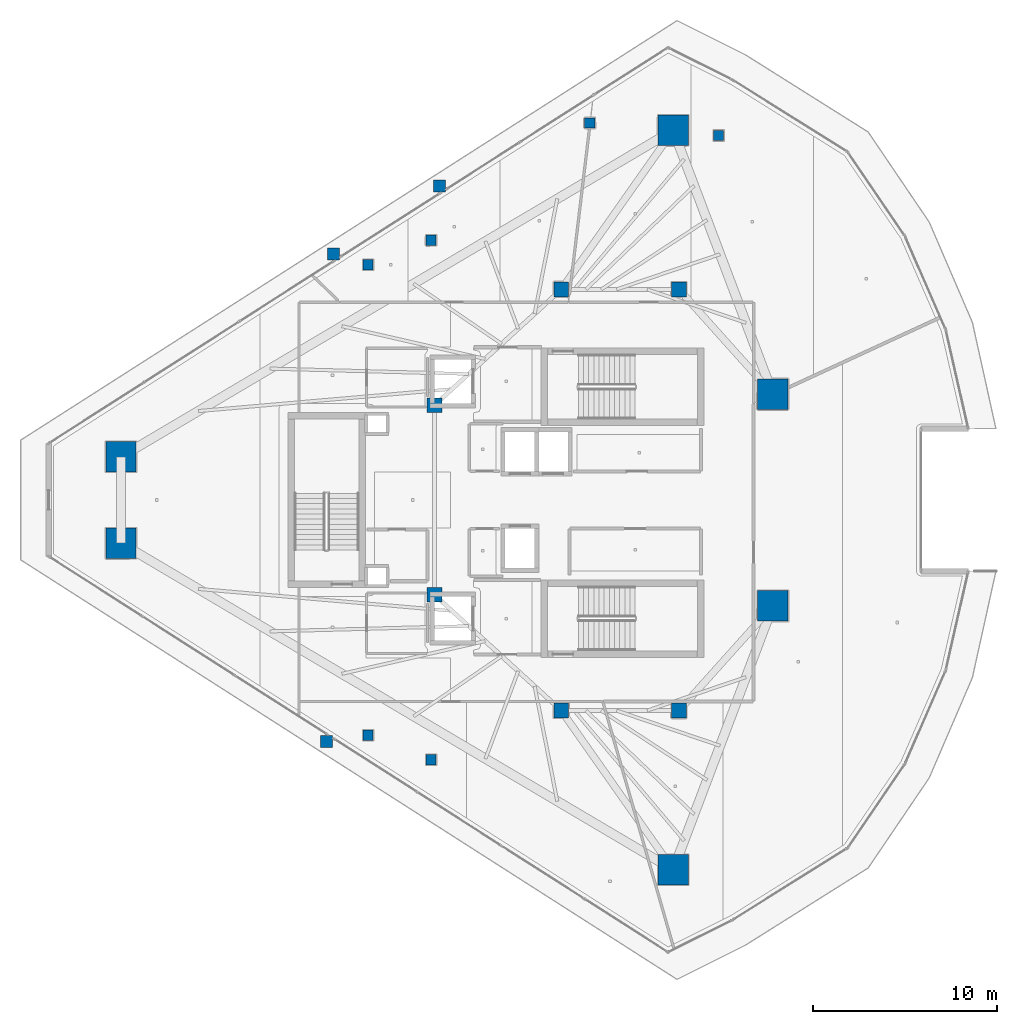
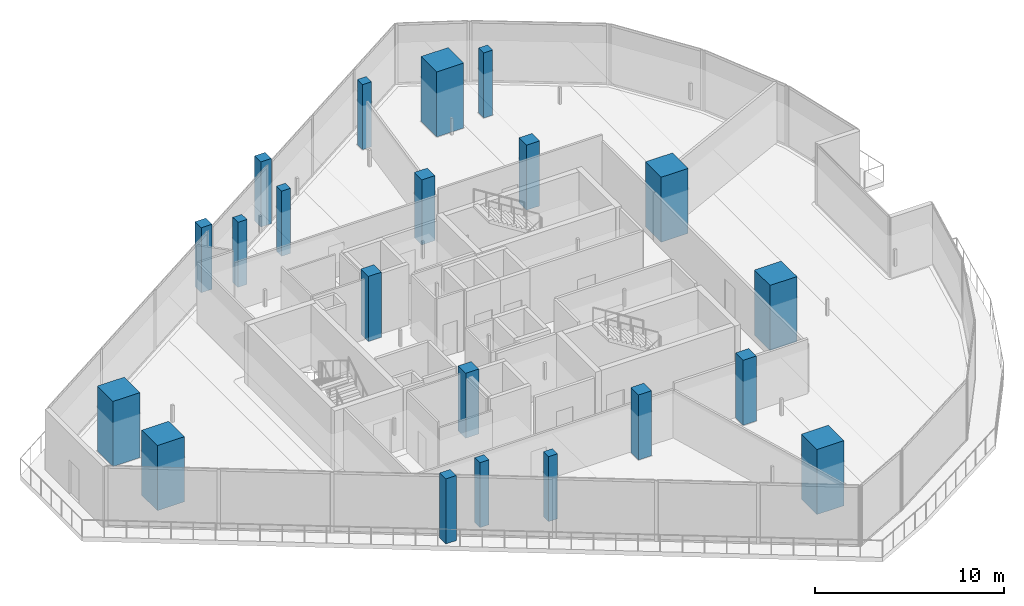
# One storey, part 1 of 31: 21 columns.
"""IFC4 building model written with IfcOpenShell, lengths in metres."""

import ifcopenshell
import ifcopenshell.guid

model = None  # the IFC model being written
_history = None  # IfcOwnerHistory: only IFC2X3 demands one
_inside = {}  # id of a spatial element -> (the spatial element, [elements in it])
_under = {}  # id of a project, library or spatial element -> (it, [spatial elements below it])
_declared = {}  # id of a project -> (the project, [libraries it declares])
_typed = {}  # id of a type object -> (the type object, [elements of that type])
_made_of = {}  # id of a material, layer set ... -> (it, [elements and type objects made of it])


def new_model(schema):
    """Start an empty IFC model of exactly this schema.

    Asked for "IFC4X3", IfcOpenShell would pick the latest addendum, in which some entities
    have other attributes; the version numbers below select the first issue.
    IFC2X3 requires an IfcOwnerHistory on every rooted entity: one is made here for all.
    """
    global model, _history
    if schema == "IFC4X3":
        model = ifcopenshell.file(schema_version=(4, 3, 0, 0))
    else:
        model = ifcopenshell.file(schema=schema)
    _inside.clear()
    _under.clear()
    _declared.clear()
    _typed.clear()
    _made_of.clear()
    _history = None
    if model.schema == "IFC2X3":
        org = make("IfcOrganization", Name="unknown")
        user = make(
            "IfcPersonAndOrganization",
            ThePerson=make("IfcPerson", FamilyName="unknown"),
            TheOrganization=org,
        )
        app = make(
            "IfcApplication",
            ApplicationDeveloper=org,
            Version="unknown",
            ApplicationFullName="unknown",
            ApplicationIdentifier="unknown",
        )
        _history = make(
            "IfcOwnerHistory",
            OwningUser=user,
            OwningApplication=app,
            ChangeAction="ADDED",
            CreationDate=0,
        )
    return model


def make(cls, **values):
    """One entity of the class cls with the attributes given. An attribute that is None is left unset."""
    return model.create_entity(
        cls, **{name: value for name, value in values.items() if value is not None}
    )


def rooted(cls, **values):
    """An entity with a GlobalId (a new one), such as an element, a storey or a relation."""
    return make(cls, GlobalId=ifcopenshell.guid.new(), OwnerHistory=_history, **values)


def si_unit(unit_type, name, prefix=None):
    """IfcSIUnit, for example si_unit("LENGTHUNIT", "METRE", prefix="MILLI")."""
    return make("IfcSIUnit", UnitType=unit_type, Prefix=prefix, Name=name)


def assignment(units):
    """IfcUnitAssignment: the units of a project."""
    return None if units is None else make("IfcUnitAssignment", Units=units)


def point(xyz):
    """IfcCartesianPoint."""
    return None if xyz is None else make("IfcCartesianPoint", Coordinates=xyz)


def direction(xyz):
    """IfcDirection."""
    return None if xyz is None else make("IfcDirection", DirectionRatios=xyz)


def frame(location, z_axis=None, x_axis=None):
    """IfcAxis2Placement3D, a coordinate frame: its origin and axes. An axis left out is left unset."""
    return make(
        "IfcAxis2Placement3D",
        Location=point(location),
        Axis=direction(z_axis),
        RefDirection=direction(x_axis),
    )


def frame_2d(location, x_axis=None):
    """IfcAxis2Placement2D, a coordinate frame in the plane: its origin and x axis."""
    return make(
        "IfcAxis2Placement2D", Location=point(location), RefDirection=direction(x_axis)
    )


def origin():
    """The frame at (0, 0, 0) with its axes left unset."""
    return frame((0.0, 0.0, 0.0))


def origin_2d():
    """The frame at (0, 0) in the plane with its x axis left unset."""
    return frame_2d((0.0, 0.0))


def place(relative_to, where):
    """IfcLocalPlacement: puts the frame where relative to a parent placement (None: the world)."""
    return make(
        "IfcLocalPlacement", PlacementRelTo=relative_to, RelativePlacement=where
    )


def context(
    kind, dimensions, precision=None, world=None, true_north=None, identifier=None
):
    """IfcGeometricRepresentationContext, for example the 3D "Model" context."""
    return make(
        "IfcGeometricRepresentationContext",
        ContextIdentifier=identifier,
        ContextType=kind,
        CoordinateSpaceDimension=dimensions,
        Precision=precision,
        WorldCoordinateSystem=world,
        TrueNorth=true_north,
    )


def subcontext(parent, identifier, kind, view, scale=None):
    """IfcGeometricRepresentationSubContext, for example "Body" below "Model"."""
    return make(
        "IfcGeometricRepresentationSubContext",
        ContextIdentifier=identifier,
        ContextType=kind,
        ParentContext=parent,
        TargetScale=scale,
        TargetView=view,
    )


def project(units=None, contexts=None):
    """IfcProject with its units and contexts."""
    return rooted(
        "IfcProject",
        Name="project",
        RepresentationContexts=contexts,
        UnitsInContext=assignment(units),
    )


def spatial(cls, under=None, at=None, **own):
    """A site, building, storey or space (cls), placed at a placement, below another one or the project."""
    s = rooted(cls, ObjectPlacement=at, **own)
    if under is not None:
        _under.setdefault(under.id(), (under, []))[1].append(s)
    return s


def profile(cls, at=None, kind="AREA", **sizes):
    """A parametric profile (cls). Its sizes go by their IFC names, for example OverallWidth=200.0."""
    return make(cls, ProfileType=kind, Position=at, **sizes)


def rectangle(**sizes):
    """IfcRectangleProfileDef."""
    return profile("IfcRectangleProfileDef", **sizes)


def extrude(swept, where, along, depth):
    """IfcExtrudedAreaSolid: the profile swept, set in the frame where, extruded along a direction by depth."""
    return make(
        "IfcExtrudedAreaSolid",
        SweptArea=swept,
        Position=where,
        ExtrudedDirection=direction(along),
        Depth=depth,
    )


def shape(context_of_items, identifier, shape_type, items):
    """IfcShapeRepresentation: the items that make up one representation, for example the "Body"."""
    return make(
        "IfcShapeRepresentation",
        ContextOfItems=context_of_items,
        RepresentationIdentifier=identifier,
        RepresentationType=shape_type,
        Items=items,
    )


def material(Name=None, Category=None):
    """IfcMaterial."""
    return make("IfcMaterial", Name=Name, Category=Category)


def material_profile(
    of_material, cross_section, Name=None, Category=None, Priority=None
):
    """IfcMaterialProfile: a cross section and its material."""
    return make(
        "IfcMaterialProfile",
        Name=Name,
        Material=of_material,
        Profile=cross_section,
        Priority=Priority,
        Category=Category,
    )


def profile_set(profiles, Name=None, composite=None):
    """IfcMaterialProfileSet."""
    return make(
        "IfcMaterialProfileSet",
        Name=Name,
        MaterialProfiles=profiles,
        CompositeProfile=composite,
    )


def made_of(thing, what):
    """Note that an element or type object is made of a material, layer set ...; save() writes the relation."""
    if what is not None:
        _made_of.setdefault(what.id(), (what, []))[1].append(thing)
    return thing


def type_object(cls, material=None, **own):
    """A type object (cls), such as IfcWallType, which elements share."""
    return made_of(rooted(cls, **own), material)


def element(
    cls,
    number,
    at=None,
    inside=None,
    cuts=None,
    type_object=None,
    material=None,
    context=None,
    identifier="Body",
    shape_type=None,
    held_by="IfcProductDefinitionShape",
    body=None,
    shapes=None,
    **own,
):
    """One element of the class cls, such as IfcWall. Its Tag is "e" and its number.

    at: its placement. inside: the storey or other place that contains it. cuts: it is an
    opening in that element (IfcRelVoidsElement). A single representation is given by context,
    identifier, shape_type and body (its items); several are given by shapes. held_by: the class
    of the entity that holds the representations. save() writes the other relations.
    """
    e = rooted(cls, Tag="e%d" % number, ObjectPlacement=at, **own)
    if body is not None:
        shapes = [shape(context, identifier, shape_type, body)]
    if shapes is not None:
        e.Representation = make(held_by, Representations=shapes)
    if inside is not None:
        _inside.setdefault(inside.id(), (inside, []))[1].append(e)
    if cuts is not None:
        rooted(
            "IfcRelVoidsElement", RelatingBuildingElement=cuts, RelatedOpeningElement=e
        )
    if type_object is not None:
        _typed.setdefault(type_object.id(), (type_object, []))[1].append(e)
    return made_of(e, material)


def aggregate(whole, parts):
    """IfcRelAggregates: a whole, such as a stair, and the parts it consists of."""
    return rooted("IfcRelAggregates", RelatingObject=whole, RelatedObjects=parts)


def save(model, path):
    """Write the relations noted so far, then the file.

    IfcRelAggregates (storeys below a building ...), IfcRelContainedInSpatialStructure (elements
    in a storey), IfcRelDefinesByType, IfcRelAssociatesMaterial and IfcRelDeclares: one each for
    every whole, place, type object, material and project.
    """
    for whole, parts in _under.values():
        aggregate(whole, parts)
    for where, things in _inside.values():
        rooted(
            "IfcRelContainedInSpatialStructure",
            RelatedElements=things,
            RelatingStructure=where,
        )
    for kind, things in _typed.values():
        rooted("IfcRelDefinesByType", RelatedObjects=things, RelatingType=kind)
    for what, things in _made_of.values():
        rooted("IfcRelAssociatesMaterial", RelatedObjects=things, RelatingMaterial=what)
    for by, libraries in _declared.values():
        rooted("IfcRelDeclares", RelatingContext=by, RelatedDefinitions=libraries)
    model.write(path)


model = new_model("IFC4")

# Units and contexts
model_context = context("Model", 3, precision=1e-05, world=origin(), true_north=direction((0.0, 1.0)))
body_context = subcontext(model_context, "Body", "Model", "MODEL_VIEW")
ifc_project = project(units=[si_unit("LENGTHUNIT", "METRE"), si_unit("AREAUNIT", "SQUARE_METRE"), si_unit("VOLUMEUNIT", "CUBIC_METRE"), si_unit("PLANEANGLEUNIT", "RADIAN"), si_unit("MASSUNIT", "GRAM", prefix="KILO")], contexts=[model_context])

# Site, building, storey
site_placement = place(None, origin())
site = spatial("IfcSite", under=ifc_project, at=site_placement, CompositionType="ELEMENT")
building_placement = place(site_placement, origin())
building = spatial("IfcBuilding", under=site, at=building_placement, Name="Qorvath Tower", CompositionType="ELEMENT")
storey_placement = place(building_placement, frame((0.0, 0.0, 264.0)))
storey = spatial("IfcBuildingStorey", under=building, at=storey_placement, Name="L61", CompositionType="ELEMENT", Elevation=264.0)

# Columns
ifc_material_1 = material(Name="Concrete C60/75", Category="concrete")
ifc_material_profile_1 = material_profile(ifc_material_1, rectangle(XDim=1.64990234375, YDim=1.64990234375, at=origin_2d()), Name="MC 1650x1650")
ifc_profile_set_1 = profile_set([ifc_material_profile_1], Name="Concrete C60/75")
column_type_1 = type_object("IfcColumnType", Name="COL-MC5", PredefinedType="COLUMN", material=ifc_profile_set_1)
for number, where, z_axis, x_axis, name in (
    (1, (-47.53759765625, 2.349609375, 0.0), (0.0, 0.0, 1.0), (1.0, 0.0, 0.0), "Composite Mega-Column MC1 L61"),
    (2, (-47.53759765625, -2.349609375, 0.0), (0.0, 0.0, 1.0), (1.0, 0.0, 0.0), "Composite Mega-Column MC2 L61"),
    (3, (-17.515380859375, -20.1015625, 0.0), (0.0, 0.0, 1.0), (1.0, 0.0, 0.0), "Composite Mega-Column MC3 L61"),
    (4, (-12.0966796875, -5.7578125, 0.0), (0.0, 0.0, 1.0), (1.0, 0.0, 0.0), "Composite Mega-Column MC4 L61"),
    (5, (-12.0966796875, 5.7578125, 0.0), (0.0, 0.0, 1.0), (1.0, 0.0, 0.0), "Composite Mega-Column MC5 L61"),
    (6, (-17.515380859375, 20.1015625, 0.0), (0.0, 0.0, 1.0), (1.0, 0.0, 0.0), "Composite Mega-Column MC6 L61"),
):
    element("IfcColumn", number, at=place(storey_placement, frame(where, z_axis=z_axis, x_axis=x_axis)), inside=storey, type_object=column_type_1, Name=name, PredefinedType="COLUMN", context=body_context, shape_type="SweptSolid", body=[
        extrude(rectangle(XDim=1.64990234375, YDim=1.64990234375, at=origin_2d()), origin(), (0.0, 0.0, 1.0), 4.199951171875),
    ])
ifc_material_2 = material(Name="Concrete C50/60", Category="concrete")
ifc_material_profile_2 = material_profile(ifc_material_2, rectangle(XDim=0.800048828125, YDim=0.800048828125, at=origin_2d()), Name="RC 800x800")
ifc_profile_set_2 = profile_set([ifc_material_profile_2], Name="Concrete C50/60")
column_type_2 = type_object("IfcColumnType", Name="COL-RC4", PredefinedType="COLUMN", material=ifc_profile_set_2)
for number, where, z_axis, x_axis, name in (
    (7, (-23.60009765625, 11.449951171875, 0.0), (0.0, 0.0, 1.0), (1.0, 0.0, 0.0), "Core Spine Column CC1 L61"),
    (8, (-17.199951171875, 11.449951171875, 0.0), (0.0, 0.0, 1.0), (1.0, 0.0, 0.0), "Core Spine Column CC2 L61"),
    (9, (-17.199951171875, -11.449951171875, 0.0), (0.0, 0.0, 1.0), (1.0, 0.0, 0.0), "Core Spine Column CC3 L61"),
    (10, (-23.60009765625, -11.449951171875, 0.0), (0.0, 0.0, 1.0), (1.0, 0.0, 0.0), "Core Spine Column CC4 L61"),
    (11, (-30.5, 5.14990234375, 0.0), (0.0, 0.0, 1.0), (1.0, 0.0, 0.0), "Core Spine Column CC5 L61"),
    (12, (-30.5, -5.14990234375, 0.0), (0.0, 0.0, 1.0), (1.0, 0.0, 0.0), "Core Spine Column CC6 L61"),
):
    element("IfcColumn", number, at=place(storey_placement, frame(where, z_axis=z_axis, x_axis=x_axis)), inside=storey, type_object=column_type_2, Name=name, PredefinedType="COLUMN", context=body_context, shape_type="SweptSolid", body=[
        extrude(rectangle(XDim=0.800048828125, YDim=0.800048828125, at=origin_2d()), origin(), (0.0, 0.0, 1.0), 4.199951171875),
    ])
ifc_material_3 = material(Name="Concrete C45/55", Category="concrete")
ifc_material_profile_3 = material_profile(ifc_material_3, rectangle(XDim=0.64990234375, YDim=0.64990234375, at=origin_2d()), Name="RC 650x650")
ifc_profile_set_3 = profile_set([ifc_material_profile_3], Name="Concrete C45/55")
column_type_3 = type_object("IfcColumnType", Name="COL-RC6", PredefinedType="COLUMN", material=ifc_profile_set_3)
for number, where, z_axis, x_axis, name in (
    (13, (-35.980712890625, 13.380859375, 0.0), (0.0, 0.0, 1.0), (1.0, 0.0, 0.0), "Loggia Frame Pier Column LGF1 L61"),
    (14, (-36.36474609375, -13.135498046875, 0.0), (0.0, 0.0, 1.0), (1.0, 0.0, 0.0), "Loggia Frame Pier Column LGF2 L61"),
    (15, (-30.224853515625, 17.0595703125, 0.0), (0.0, 0.0, 1.0), (1.0, 0.0, 0.0), "Loggia Frame Pier Column LGF3 L61"),
):
    element("IfcColumn", number, at=place(storey_placement, frame(where, z_axis=z_axis, x_axis=x_axis)), inside=storey, type_object=column_type_3, Name=name, PredefinedType="COLUMN", context=body_context, shape_type="SweptSolid", body=[
        extrude(rectangle(XDim=0.64990234375, YDim=0.64990234375, at=origin_2d()), origin(), (0.0, 0.0, 1.0), 4.199951171875),
    ])
ifc_material_4 = material(Name="Concrete C45/55", Category="concrete")
ifc_material_profile_4 = material_profile(ifc_material_4, rectangle(XDim=0.550048828125, YDim=0.550048828125, at=origin_2d()), Name="RC 550x550")
ifc_profile_set_4 = profile_set([ifc_material_profile_4], Name="Concrete C45/55")
column_type_4 = type_object("IfcColumnType", Name="COL-RC7", PredefinedType="COLUMN", material=ifc_profile_set_4)
for number, where, z_axis, x_axis, name in (
    (16, (-34.104248046875, 12.79248046875, 0.0), (0.0, 0.0, 1.0), (1.0, 0.0, 0.0), "Loggia Frame Pier Column LGG1 L61"),
    (17, (-34.104248046875, -12.79248046875, 0.0), (0.0, 0.0, 1.0), (1.0, 0.0, 0.0), "Loggia Frame Pier Column LGG2 L61"),
    (18, (-22.05322265625, 20.494873046875, 0.0), (0.0, 0.0, 1.0), (1.0, 0.0, 0.0), "Loggia Frame Pier Column LGG3 L61"),
    (19, (-30.67724609375, 14.124267578125, 0.0), (0.0, 0.0, 1.0), (1.0, 0.0, 0.0), "Loggia Frame Pier Column LGH1 L61"),
    (20, (-30.67724609375, -14.124267578125, 0.0), (0.0, 0.0, 1.0), (1.0, 0.0, 0.0), "Loggia Frame Pier Column LGH2 L61"),
    (21, (-15.046142578125, 19.818115234375, 0.0), (0.0, 0.0, 1.0), (1.0, 0.0, 0.0), "Loggia Frame Pier Column LGH3 L61"),
):
    element("IfcColumn", number, at=place(storey_placement, frame(where, z_axis=z_axis, x_axis=x_axis)), inside=storey, type_object=column_type_4, Name=name, PredefinedType="COLUMN", context=body_context, shape_type="SweptSolid", body=[
        extrude(rectangle(XDim=0.550048828125, YDim=0.550048828125, at=origin_2d()), origin(), (0.0, 0.0, 1.0), 4.199951171875),
    ])

save(model, "model.ifc")
